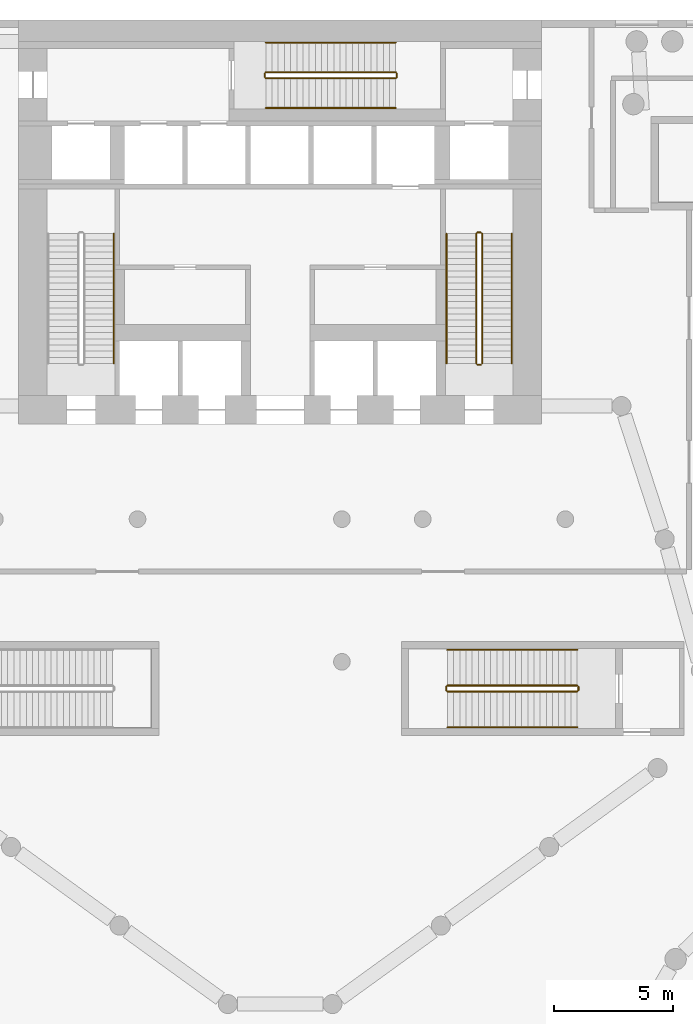
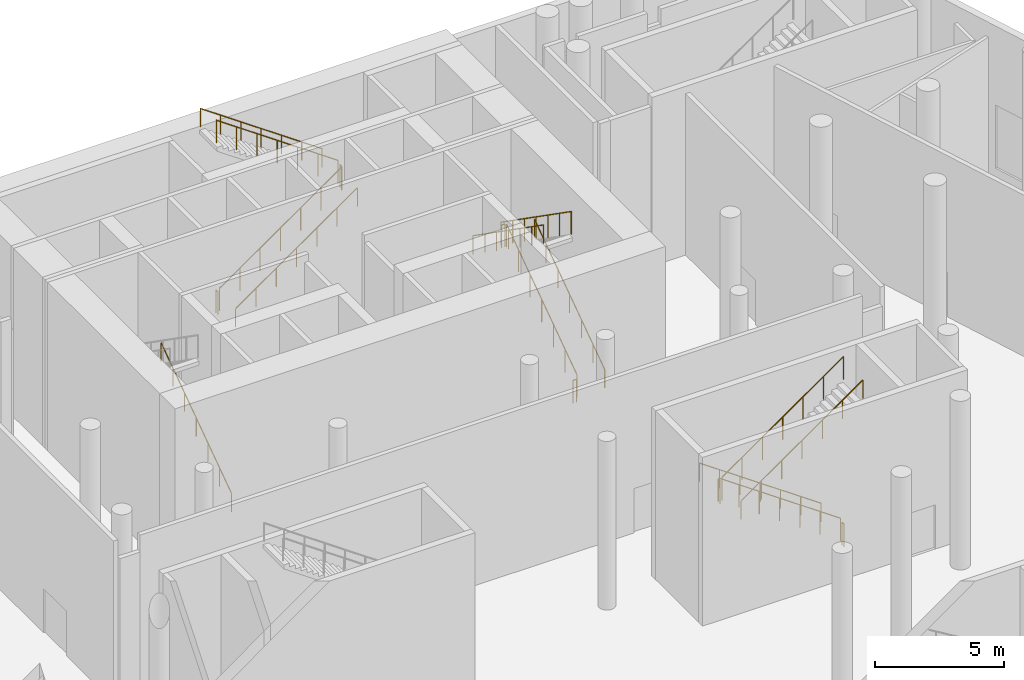
# One storey, part 22 of 23: 19 railings.
"""IFC4 building model written with IfcOpenShell, lengths in metres."""

from ifc_helpers import new_model, si_unit, direction, frame, origin, origin_2d, place, context, subcontext, project, spatial, circle, extrude, material, type_object, element, save


model = new_model("IFC4")

# Units and contexts
model_context = context("Model", 3, precision=1e-05, world=origin(), true_north=direction((0.0, 1.0)))
body_context = subcontext(model_context, "Body", "Model", "MODEL_VIEW")
ifc_project = project(units=[si_unit("LENGTHUNIT", "METRE"), si_unit("AREAUNIT", "SQUARE_METRE"), si_unit("VOLUMEUNIT", "CUBIC_METRE"), si_unit("PLANEANGLEUNIT", "RADIAN"), si_unit("MASSUNIT", "GRAM", prefix="KILO")], contexts=[model_context])

# Site, building, storey
site_placement = place(None, origin())
site = spatial("IfcSite", under=ifc_project, at=site_placement, CompositionType="ELEMENT")
building_placement = place(site_placement, origin())
building = spatial("IfcBuilding", under=site, at=building_placement, Name="White Candle Pilgrim Tower", CompositionType="ELEMENT")
storey_placement = place(building_placement, frame((0.0, 0.0, 15.0)))
storey = spatial("IfcBuildingStorey", under=building, at=storey_placement, Name="L02", CompositionType="ELEMENT", Elevation=15.0)

# Railings
ifc_material = material(Name="Stainless steel", Category="steel")
railing_type_1 = type_object("IfcRailingType", Name="Stair guard stainless steel 1100 mm", PredefinedType="GUARDRAIL", material=ifc_material)
railing_1_placement = place(storey_placement, frame((78.5, 73.550048828125, 0.181884765625)))
element("IfcRailing", 1, at=railing_1_placement, inside=storey, type_object=railing_type_1, Name="L02 ST2 stair guard 1", PredefinedType="GUARDRAIL", context=body_context, shape_type="SweptSolid", body=[
    extrude(circle(Radius=0.02392578125, at=origin_2d()), frame((0.0, 0.0, 1.076171875), z_axis=(0.0, 0.81950382928, 0.573073707123), x_axis=(-1.0, 0.0, 0.0)), (0.0, 0.0, 1.0), 6.66259765625),
    extrude(circle(Radius=0.02099609375, at=origin_2d()), origin(), (0.0, 0.0, 1.0), 1.052001953125),
    extrude(circle(Radius=0.02099609375, at=origin_2d()), frame((0.0, 0.909912109375, 0.63623046875)), (0.0, 0.0, 1.0), 1.052001953125),
    extrude(circle(Radius=0.02099609375, at=origin_2d()), frame((0.0, 1.820068359375, 1.272705078125)), (0.0, 0.0, 1.0), 1.052001953125),
    extrude(circle(Radius=0.02099609375, at=origin_2d()), frame((0.0, 2.72998046875, 1.9091796875)), (0.0, 0.0, 1.0), 1.052001953125),
    extrude(circle(Radius=0.02099609375, at=origin_2d()), frame((0.0, 3.639892578125, 2.54541015625)), (0.0, 0.0, 1.0), 1.052001953125),
    extrude(circle(Radius=0.02099609375, at=origin_2d()), frame((0.0, 4.550048828125, 3.181640625)), (0.0, 0.0, 1.0), 1.052001953125),
    extrude(circle(Radius=0.02099609375, at=origin_2d()), frame((0.0, 5.4599609375, 3.818115234375)), (0.0, 0.0, 1.0), 1.052001953125),
])
railing_2_placement = place(storey_placement, frame((78.449951171875, 79.06005859375, 4.0)))
element("IfcRailing", 2, at=railing_2_placement, inside=storey, type_object=railing_type_1, Name="L02 ST2 stair guard 2", PredefinedType="GUARDRAIL", context=body_context, shape_type="SweptSolid", body=[
    extrude(circle(Radius=0.02392578125, at=origin_2d()), frame((0.0, 0.0, 1.076171875), z_axis=(-1.0, 0.0, 0.0), x_axis=(0.0, -1.0, 0.0)), (0.0, 0.0, 1.0), 0.14990234375),
    extrude(circle(Radius=0.02099609375, at=origin_2d()), origin(), (0.0, 0.0, 1.0), 1.052001953125),
    extrude(circle(Radius=0.02099609375, at=origin_2d()), frame((-0.14990234375, 0.0, 0.0)), (0.0, 0.0, 1.0), 1.052001953125),
])
railing_3_placement = place(storey_placement, frame((78.25, 79.010009765625, 4.181884765625)))
element("IfcRailing", 3, at=railing_3_placement, inside=storey, type_object=railing_type_1, Name="L02 ST2 stair guard 3", PredefinedType="GUARDRAIL", context=body_context, shape_type="SweptSolid", body=[
    extrude(circle(Radius=0.02392578125, at=origin_2d()), frame((0.0, 0.0, 1.076171875), z_axis=(0.0, -0.81950382928, 0.573073707123), x_axis=(1.0, 0.0, 0.0)), (0.0, 0.0, 1.0), 6.66259765625),
    extrude(circle(Radius=0.02099609375, at=origin_2d()), origin(), (0.0, 0.0, 1.0), 1.052001953125),
    extrude(circle(Radius=0.02099609375, at=origin_2d()), frame((0.0, -0.909912109375, 0.63623046875)), (0.0, 0.0, 1.0), 1.052001953125),
    extrude(circle(Radius=0.02099609375, at=origin_2d()), frame((0.0, -1.820068359375, 1.272705078125)), (0.0, 0.0, 1.0), 1.052001953125),
    extrude(circle(Radius=0.02099609375, at=origin_2d()), frame((0.0, -2.72998046875, 1.9091796875)), (0.0, 0.0, 1.0), 1.052001953125),
    extrude(circle(Radius=0.02099609375, at=origin_2d()), frame((0.0, -3.639892578125, 2.54541015625)), (0.0, 0.0, 1.0), 1.052001953125),
    extrude(circle(Radius=0.02099609375, at=origin_2d()), frame((0.0, -4.550048828125, 3.181640625)), (0.0, 0.0, 1.0), 1.052001953125),
    extrude(circle(Radius=0.02099609375, at=origin_2d()), frame((0.0, -5.4599609375, 3.818115234375)), (0.0, 0.0, 1.0), 1.052001953125),
])
railing_4_placement = place(storey_placement, frame((78.449951171875, 73.5, 0.0)))
element("IfcRailing", 4, at=railing_4_placement, inside=storey, type_object=railing_type_1, Name="L02 ST2 stair guard 4", PredefinedType="GUARDRAIL", context=body_context, shape_type="SweptSolid", body=[
    extrude(circle(Radius=0.02392578125, at=origin_2d()), frame((0.0, 0.0, 1.076171875), z_axis=(-1.0, 0.0, 0.0), x_axis=(0.0, -1.0, 0.0)), (0.0, 0.0, 1.0), 0.14990234375),
    extrude(circle(Radius=0.02099609375, at=origin_2d()), origin(), (0.0, 0.0, 1.0), 1.052001953125),
    extrude(circle(Radius=0.02099609375, at=origin_2d()), frame((-0.14990234375, 0.0, 0.0)), (0.0, 0.0, 1.0), 1.052001953125),
])
railing_5_placement = place(storey_placement, frame((69.39990234375, 85.550048828125, 0.181884765625)))
element("IfcRailing", 5, at=railing_5_placement, inside=storey, type_object=railing_type_1, Name="L02 ST3 stair guard 1", PredefinedType="GUARDRAIL", context=body_context, shape_type="SweptSolid", body=[
    extrude(circle(Radius=0.02392578125, at=origin_2d()), frame((0.0, 0.0, 1.076171875), z_axis=(0.819515863083, 0.0, 0.573056498223), x_axis=(0.0, 1.0, 0.0)), (0.0, 0.0, 1.0), 6.662841796875),
    extrude(circle(Radius=0.02099609375, at=origin_2d()), origin(), (0.0, 0.0, 1.0), 1.052001953125),
    extrude(circle(Radius=0.02099609375, at=origin_2d()), frame((0.91015625, 0.0, 0.63623046875)), (0.0, 0.0, 1.0), 1.052001953125),
    extrude(circle(Radius=0.02099609375, at=origin_2d()), frame((1.820068359375, 0.0, 1.272705078125)), (0.0, 0.0, 1.0), 1.052001953125),
    extrude(circle(Radius=0.02099609375, at=origin_2d()), frame((2.72998046875, 0.0, 1.9091796875)), (0.0, 0.0, 1.0), 1.052001953125),
    extrude(circle(Radius=0.02099609375, at=origin_2d()), frame((3.64013671875, 0.0, 2.54541015625)), (0.0, 0.0, 1.0), 1.052001953125),
    extrude(circle(Radius=0.02099609375, at=origin_2d()), frame((4.55029296875, 0.0, 3.181640625)), (0.0, 0.0, 1.0), 1.052001953125),
    extrude(circle(Radius=0.02099609375, at=origin_2d()), frame((5.460205078125, 0.0, 3.818115234375)), (0.0, 0.0, 1.0), 1.052001953125),
])
railing_6_placement = place(storey_placement, frame((74.909912109375, 85.60009765625, 4.0)))
element("IfcRailing", 6, at=railing_6_placement, inside=storey, type_object=railing_type_1, Name="L02 ST3 stair guard 2", PredefinedType="GUARDRAIL", context=body_context, shape_type="SweptSolid", body=[
    extrude(circle(Radius=0.02392578125, at=origin_2d()), frame((0.0, 0.0, 1.076171875), z_axis=(0.0, 1.0, 0.0), x_axis=(-1.0, 0.0, 0.0)), (0.0, 0.0, 1.0), 0.14990234375),
    extrude(circle(Radius=0.02099609375, at=origin_2d()), origin(), (0.0, 0.0, 1.0), 1.052001953125),
    extrude(circle(Radius=0.02099609375, at=origin_2d()), frame((0.0, 0.14990234375, 0.0)), (0.0, 0.0, 1.0), 1.052001953125),
])
railing_7_placement = place(storey_placement, frame((74.860107421875, 85.800048828125, 4.181884765625)))
element("IfcRailing", 7, at=railing_7_placement, inside=storey, type_object=railing_type_1, Name="L02 ST3 stair guard 3", PredefinedType="GUARDRAIL", context=body_context, shape_type="SweptSolid", body=[
    extrude(circle(Radius=0.02392578125, at=origin_2d()), frame((0.0, 0.0, 1.076171875), z_axis=(-0.819515863083, 0.0, 0.573056498223), x_axis=(0.0, -1.0, 0.0)), (0.0, 0.0, 1.0), 6.662841796875),
    extrude(circle(Radius=0.02099609375, at=origin_2d()), origin(), (0.0, 0.0, 1.0), 1.052001953125),
    extrude(circle(Radius=0.02099609375, at=origin_2d()), frame((-0.91015625, 0.0, 0.63623046875)), (0.0, 0.0, 1.0), 1.052001953125),
    extrude(circle(Radius=0.02099609375, at=origin_2d()), frame((-1.820068359375, 0.0, 1.272705078125)), (0.0, 0.0, 1.0), 1.052001953125),
    extrude(circle(Radius=0.02099609375, at=origin_2d()), frame((-2.72998046875, 0.0, 1.9091796875)), (0.0, 0.0, 1.0), 1.052001953125),
    extrude(circle(Radius=0.02099609375, at=origin_2d()), frame((-3.64013671875, 0.0, 2.54541015625)), (0.0, 0.0, 1.0), 1.052001953125),
    extrude(circle(Radius=0.02099609375, at=origin_2d()), frame((-4.55029296875, 0.0, 3.181640625)), (0.0, 0.0, 1.0), 1.052001953125),
    extrude(circle(Radius=0.02099609375, at=origin_2d()), frame((-5.460205078125, 0.0, 3.818115234375)), (0.0, 0.0, 1.0), 1.052001953125),
])
railing_8_placement = place(storey_placement, frame((69.35009765625, 85.60009765625, 0.0)))
element("IfcRailing", 8, at=railing_8_placement, inside=storey, type_object=railing_type_1, Name="L02 ST3 stair guard 4", PredefinedType="GUARDRAIL", context=body_context, shape_type="SweptSolid", body=[
    extrude(circle(Radius=0.02392578125, at=origin_2d()), frame((0.0, 0.0, 1.076171875), z_axis=(0.0, 1.0, 0.0), x_axis=(-1.0, 0.0, 0.0)), (0.0, 0.0, 1.0), 0.14990234375),
    extrude(circle(Radius=0.02099609375, at=origin_2d()), origin(), (0.0, 0.0, 1.0), 1.052001953125),
    extrude(circle(Radius=0.02099609375, at=origin_2d()), frame((0.0, 0.14990234375, 0.0)), (0.0, 0.0, 1.0), 1.052001953125),
])
railing_9_placement = place(storey_placement, frame((82.5, 60.0, 0.181884765625)))
element("IfcRailing", 9, at=railing_9_placement, inside=storey, type_object=railing_type_1, Name="L02 ST4 stair guard 1", PredefinedType="GUARDRAIL", context=body_context, shape_type="SweptSolid", body=[
    extrude(circle(Radius=0.02392578125, at=origin_2d()), frame((0.0, 0.0, 1.076171875), z_axis=(-0.81950382928, 0.0, 0.573073707123), x_axis=(0.0, -1.0, 0.0)), (0.0, 0.0, 1.0), 6.66259765625),
    extrude(circle(Radius=0.02099609375, at=origin_2d()), origin(), (0.0, 0.0, 1.0), 1.052001953125),
    extrude(circle(Radius=0.02099609375, at=origin_2d()), frame((-0.909912109375, 0.0, 0.63623046875)), (0.0, 0.0, 1.0), 1.052001953125),
    extrude(circle(Radius=0.02099609375, at=origin_2d()), frame((-1.820068359375, 0.0, 1.272705078125)), (0.0, 0.0, 1.0), 1.052001953125),
    extrude(circle(Radius=0.02099609375, at=origin_2d()), frame((-2.72998046875, 0.0, 1.9091796875)), (0.0, 0.0, 1.0), 1.052001953125),
    extrude(circle(Radius=0.02099609375, at=origin_2d()), frame((-3.639892578125, 0.0, 2.54541015625)), (0.0, 0.0, 1.0), 1.052001953125),
    extrude(circle(Radius=0.02099609375, at=origin_2d()), frame((-4.550048828125, 0.0, 3.181640625)), (0.0, 0.0, 1.0), 1.052001953125),
    extrude(circle(Radius=0.02099609375, at=origin_2d()), frame((-5.4599609375, 0.0, 3.818115234375)), (0.0, 0.0, 1.0), 1.052001953125),
])
railing_10_placement = place(storey_placement, frame((76.989990234375, 59.949951171875, 4.0)))
element("IfcRailing", 10, at=railing_10_placement, inside=storey, type_object=railing_type_1, Name="L02 ST4 stair guard 2", PredefinedType="GUARDRAIL", context=body_context, shape_type="SweptSolid", body=[
    extrude(circle(Radius=0.02392578125, at=origin_2d()), frame((0.0, 0.0, 1.076171875), z_axis=(0.0, -1.0, 0.0), x_axis=(1.0, 0.0, 0.0)), (0.0, 0.0, 1.0), 0.14990234375),
    extrude(circle(Radius=0.02099609375, at=origin_2d()), origin(), (0.0, 0.0, 1.0), 1.052001953125),
    extrude(circle(Radius=0.02099609375, at=origin_2d()), frame((0.0, -0.14990234375, 0.0)), (0.0, 0.0, 1.0), 1.052001953125),
])
railing_11_placement = place(storey_placement, frame((77.0400390625, 59.75, 4.181884765625)))
element("IfcRailing", 11, at=railing_11_placement, inside=storey, type_object=railing_type_1, Name="L02 ST4 stair guard 3", PredefinedType="GUARDRAIL", context=body_context, shape_type="SweptSolid", body=[
    extrude(circle(Radius=0.02392578125, at=origin_2d()), frame((0.0, 0.0, 1.076171875), z_axis=(0.81950382928, 0.0, 0.573073707123), x_axis=(0.0, 1.0, 0.0)), (0.0, 0.0, 1.0), 6.66259765625),
    extrude(circle(Radius=0.02099609375, at=origin_2d()), origin(), (0.0, 0.0, 1.0), 1.052001953125),
    extrude(circle(Radius=0.02099609375, at=origin_2d()), frame((0.909912109375, 0.0, 0.63623046875)), (0.0, 0.0, 1.0), 1.052001953125),
    extrude(circle(Radius=0.02099609375, at=origin_2d()), frame((1.820068359375, 0.0, 1.272705078125)), (0.0, 0.0, 1.0), 1.052001953125),
    extrude(circle(Radius=0.02099609375, at=origin_2d()), frame((2.72998046875, 0.0, 1.9091796875)), (0.0, 0.0, 1.0), 1.052001953125),
    extrude(circle(Radius=0.02099609375, at=origin_2d()), frame((3.639892578125, 0.0, 2.54541015625)), (0.0, 0.0, 1.0), 1.052001953125),
    extrude(circle(Radius=0.02099609375, at=origin_2d()), frame((4.550048828125, 0.0, 3.181640625)), (0.0, 0.0, 1.0), 1.052001953125),
    extrude(circle(Radius=0.02099609375, at=origin_2d()), frame((5.4599609375, 0.0, 3.818115234375)), (0.0, 0.0, 1.0), 1.052001953125),
])
railing_12_placement = place(storey_placement, frame((82.550048828125, 59.949951171875, 0.0)))
element("IfcRailing", 12, at=railing_12_placement, inside=storey, type_object=railing_type_1, Name="L02 ST4 stair guard 4", PredefinedType="GUARDRAIL", context=body_context, shape_type="SweptSolid", body=[
    extrude(circle(Radius=0.02392578125, at=origin_2d()), frame((0.0, 0.0, 1.076171875), z_axis=(0.0, -1.0, 0.0), x_axis=(1.0, 0.0, 0.0)), (0.0, 0.0, 1.0), 0.14990234375),
    extrude(circle(Radius=0.02099609375, at=origin_2d()), origin(), (0.0, 0.0, 1.0), 1.052001953125),
    extrude(circle(Radius=0.02099609375, at=origin_2d()), frame((0.0, -0.14990234375, 0.0)), (0.0, 0.0, 1.0), 1.052001953125),
])
railing_type_2 = type_object("IfcRailingType", Name="Stair handrail stainless steel", PredefinedType="HANDRAIL", material=ifc_material)
for number, where, name in (
    (13, (63.0, 73.550048828125, 0.181884765625), "L02 ST1 stair handrail 1"),
    (14, (79.75, 73.550048828125, 0.181884765625), "L02 ST2 stair handrail 1"),
):
    element("IfcRailing", number, at=place(storey_placement, frame(where)), inside=storey, type_object=railing_type_2, Name=name, PredefinedType="HANDRAIL", context=body_context, shape_type="SweptSolid", body=[
        extrude(circle(Radius=0.02392578125, at=origin_2d()), frame((0.0, 0.0, 0.8759765625), z_axis=(0.0, 0.81950382928, 0.573073707123), x_axis=(-1.0, 0.0, 0.0)), (0.0, 0.0, 1.0), 6.66259765625),
        extrude(circle(Radius=0.02099609375, at=origin_2d()), origin(), (0.0, 0.0, 1.0), 0.851806640625),
        extrude(circle(Radius=0.02099609375, at=origin_2d()), frame((0.0, 0.909912109375, 0.63623046875)), (0.0, 0.0, 1.0), 0.851806640625),
        extrude(circle(Radius=0.02099609375, at=origin_2d()), frame((0.0, 1.820068359375, 1.272705078125)), (0.0, 0.0, 1.0), 0.851806640625),
        extrude(circle(Radius=0.02099609375, at=origin_2d()), frame((0.0, 2.72998046875, 1.9091796875)), (0.0, 0.0, 1.0), 0.851806640625),
        extrude(circle(Radius=0.02099609375, at=origin_2d()), frame((0.0, 3.639892578125, 2.54541015625)), (0.0, 0.0, 1.0), 0.851806640625),
        extrude(circle(Radius=0.02099609375, at=origin_2d()), frame((0.0, 4.550048828125, 3.181640625)), (0.0, 0.0, 1.0), 0.851806640625),
        extrude(circle(Radius=0.02099609375, at=origin_2d()), frame((0.0, 5.4599609375, 3.818115234375)), (0.0, 0.0, 1.0), 0.851806640625),
    ])
railing_13_placement = place(storey_placement, frame((77.0, 79.010009765625, 4.181884765625)))
element("IfcRailing", 15, at=railing_13_placement, inside=storey, type_object=railing_type_2, Name="L02 ST2 stair handrail 2", PredefinedType="HANDRAIL", context=body_context, shape_type="SweptSolid", body=[
    extrude(circle(Radius=0.02392578125, at=origin_2d()), frame((0.0, 0.0, 0.8759765625), z_axis=(0.0, -0.81950382928, 0.573073707123), x_axis=(1.0, 0.0, 0.0)), (0.0, 0.0, 1.0), 6.66259765625),
    extrude(circle(Radius=0.02099609375, at=origin_2d()), origin(), (0.0, 0.0, 1.0), 0.851806640625),
    extrude(circle(Radius=0.02099609375, at=origin_2d()), frame((0.0, -0.909912109375, 0.63623046875)), (0.0, 0.0, 1.0), 0.851806640625),
    extrude(circle(Radius=0.02099609375, at=origin_2d()), frame((0.0, -1.820068359375, 1.272705078125)), (0.0, 0.0, 1.0), 0.851806640625),
    extrude(circle(Radius=0.02099609375, at=origin_2d()), frame((0.0, -2.72998046875, 1.9091796875)), (0.0, 0.0, 1.0), 0.851806640625),
    extrude(circle(Radius=0.02099609375, at=origin_2d()), frame((0.0, -3.639892578125, 2.54541015625)), (0.0, 0.0, 1.0), 0.851806640625),
    extrude(circle(Radius=0.02099609375, at=origin_2d()), frame((0.0, -4.550048828125, 3.181640625)), (0.0, 0.0, 1.0), 0.851806640625),
    extrude(circle(Radius=0.02099609375, at=origin_2d()), frame((0.0, -5.4599609375, 3.818115234375)), (0.0, 0.0, 1.0), 0.851806640625),
])
railing_14_placement = place(storey_placement, frame((69.39990234375, 84.300048828125, 0.181884765625)))
element("IfcRailing", 16, at=railing_14_placement, inside=storey, type_object=railing_type_2, Name="L02 ST3 stair handrail 1", PredefinedType="HANDRAIL", context=body_context, shape_type="SweptSolid", body=[
    extrude(circle(Radius=0.02392578125, at=origin_2d()), frame((0.0, 0.0, 0.8759765625), z_axis=(0.819515863083, 0.0, 0.573056498223), x_axis=(0.0, 1.0, 0.0)), (0.0, 0.0, 1.0), 6.662841796875),
    extrude(circle(Radius=0.02099609375, at=origin_2d()), origin(), (0.0, 0.0, 1.0), 0.851806640625),
    extrude(circle(Radius=0.02099609375, at=origin_2d()), frame((0.91015625, 0.0, 0.63623046875)), (0.0, 0.0, 1.0), 0.851806640625),
    extrude(circle(Radius=0.02099609375, at=origin_2d()), frame((1.820068359375, 0.0, 1.272705078125)), (0.0, 0.0, 1.0), 0.851806640625),
    extrude(circle(Radius=0.02099609375, at=origin_2d()), frame((2.72998046875, 0.0, 1.9091796875)), (0.0, 0.0, 1.0), 0.851806640625),
    extrude(circle(Radius=0.02099609375, at=origin_2d()), frame((3.64013671875, 0.0, 2.54541015625)), (0.0, 0.0, 1.0), 0.851806640625),
    extrude(circle(Radius=0.02099609375, at=origin_2d()), frame((4.55029296875, 0.0, 3.181640625)), (0.0, 0.0, 1.0), 0.851806640625),
    extrude(circle(Radius=0.02099609375, at=origin_2d()), frame((5.460205078125, 0.0, 3.818115234375)), (0.0, 0.0, 1.0), 0.851806640625),
])
railing_15_placement = place(storey_placement, frame((74.860107421875, 87.050048828125, 4.181884765625)))
element("IfcRailing", 17, at=railing_15_placement, inside=storey, type_object=railing_type_2, Name="L02 ST3 stair handrail 2", PredefinedType="HANDRAIL", context=body_context, shape_type="SweptSolid", body=[
    extrude(circle(Radius=0.02392578125, at=origin_2d()), frame((0.0, 0.0, 0.8759765625), z_axis=(-0.819515863083, 0.0, 0.573056498223), x_axis=(0.0, -1.0, 0.0)), (0.0, 0.0, 1.0), 6.662841796875),
    extrude(circle(Radius=0.02099609375, at=origin_2d()), origin(), (0.0, 0.0, 1.0), 0.851806640625),
    extrude(circle(Radius=0.02099609375, at=origin_2d()), frame((-0.91015625, 0.0, 0.63623046875)), (0.0, 0.0, 1.0), 0.851806640625),
    extrude(circle(Radius=0.02099609375, at=origin_2d()), frame((-1.820068359375, 0.0, 1.272705078125)), (0.0, 0.0, 1.0), 0.851806640625),
    extrude(circle(Radius=0.02099609375, at=origin_2d()), frame((-2.72998046875, 0.0, 1.9091796875)), (0.0, 0.0, 1.0), 0.851806640625),
    extrude(circle(Radius=0.02099609375, at=origin_2d()), frame((-3.64013671875, 0.0, 2.54541015625)), (0.0, 0.0, 1.0), 0.851806640625),
    extrude(circle(Radius=0.02099609375, at=origin_2d()), frame((-4.55029296875, 0.0, 3.181640625)), (0.0, 0.0, 1.0), 0.851806640625),
    extrude(circle(Radius=0.02099609375, at=origin_2d()), frame((-5.460205078125, 0.0, 3.818115234375)), (0.0, 0.0, 1.0), 0.851806640625),
])
railing_16_placement = place(storey_placement, frame((82.5, 61.5, 0.181884765625)))
element("IfcRailing", 18, at=railing_16_placement, inside=storey, type_object=railing_type_2, Name="L02 ST4 stair handrail 1", PredefinedType="HANDRAIL", context=body_context, shape_type="SweptSolid", body=[
    extrude(circle(Radius=0.02392578125, at=origin_2d()), frame((0.0, 0.0, 0.8759765625), z_axis=(-0.81950382928, 0.0, 0.573073707123), x_axis=(0.0, -1.0, 0.0)), (0.0, 0.0, 1.0), 6.66259765625),
    extrude(circle(Radius=0.02099609375, at=origin_2d()), origin(), (0.0, 0.0, 1.0), 0.851806640625),
    extrude(circle(Radius=0.02099609375, at=origin_2d()), frame((-0.909912109375, 0.0, 0.63623046875)), (0.0, 0.0, 1.0), 0.851806640625),
    extrude(circle(Radius=0.02099609375, at=origin_2d()), frame((-1.820068359375, 0.0, 1.272705078125)), (0.0, 0.0, 1.0), 0.851806640625),
    extrude(circle(Radius=0.02099609375, at=origin_2d()), frame((-2.72998046875, 0.0, 1.9091796875)), (0.0, 0.0, 1.0), 0.851806640625),
    extrude(circle(Radius=0.02099609375, at=origin_2d()), frame((-3.639892578125, 0.0, 2.54541015625)), (0.0, 0.0, 1.0), 0.851806640625),
    extrude(circle(Radius=0.02099609375, at=origin_2d()), frame((-4.550048828125, 0.0, 3.181640625)), (0.0, 0.0, 1.0), 0.851806640625),
    extrude(circle(Radius=0.02099609375, at=origin_2d()), frame((-5.4599609375, 0.0, 3.818115234375)), (0.0, 0.0, 1.0), 0.851806640625),
])
railing_17_placement = place(storey_placement, frame((77.0400390625, 58.25, 4.181884765625)))
element("IfcRailing", 19, at=railing_17_placement, inside=storey, type_object=railing_type_2, Name="L02 ST4 stair handrail 2", PredefinedType="HANDRAIL", context=body_context, shape_type="SweptSolid", body=[
    extrude(circle(Radius=0.02392578125, at=origin_2d()), frame((0.0, 0.0, 0.8759765625), z_axis=(0.81950382928, 0.0, 0.573073707123), x_axis=(0.0, 1.0, 0.0)), (0.0, 0.0, 1.0), 6.66259765625),
    extrude(circle(Radius=0.02099609375, at=origin_2d()), origin(), (0.0, 0.0, 1.0), 0.851806640625),
    extrude(circle(Radius=0.02099609375, at=origin_2d()), frame((0.909912109375, 0.0, 0.63623046875)), (0.0, 0.0, 1.0), 0.851806640625),
    extrude(circle(Radius=0.02099609375, at=origin_2d()), frame((1.820068359375, 0.0, 1.272705078125)), (0.0, 0.0, 1.0), 0.851806640625),
    extrude(circle(Radius=0.02099609375, at=origin_2d()), frame((2.72998046875, 0.0, 1.9091796875)), (0.0, 0.0, 1.0), 0.851806640625),
    extrude(circle(Radius=0.02099609375, at=origin_2d()), frame((3.639892578125, 0.0, 2.54541015625)), (0.0, 0.0, 1.0), 0.851806640625),
    extrude(circle(Radius=0.02099609375, at=origin_2d()), frame((4.550048828125, 0.0, 3.181640625)), (0.0, 0.0, 1.0), 0.851806640625),
    extrude(circle(Radius=0.02099609375, at=origin_2d()), frame((5.4599609375, 0.0, 3.818115234375)), (0.0, 0.0, 1.0), 0.851806640625),
])

save(model, "model.ifc")
